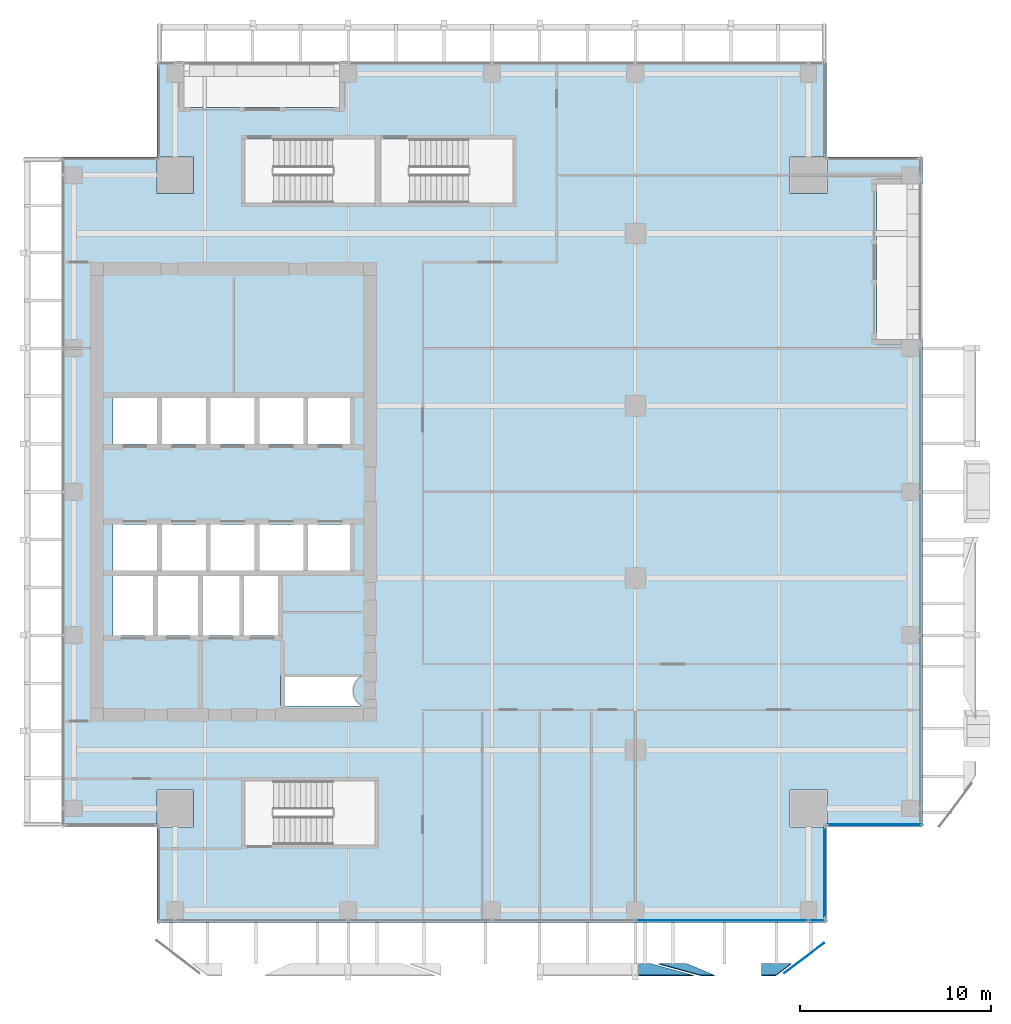
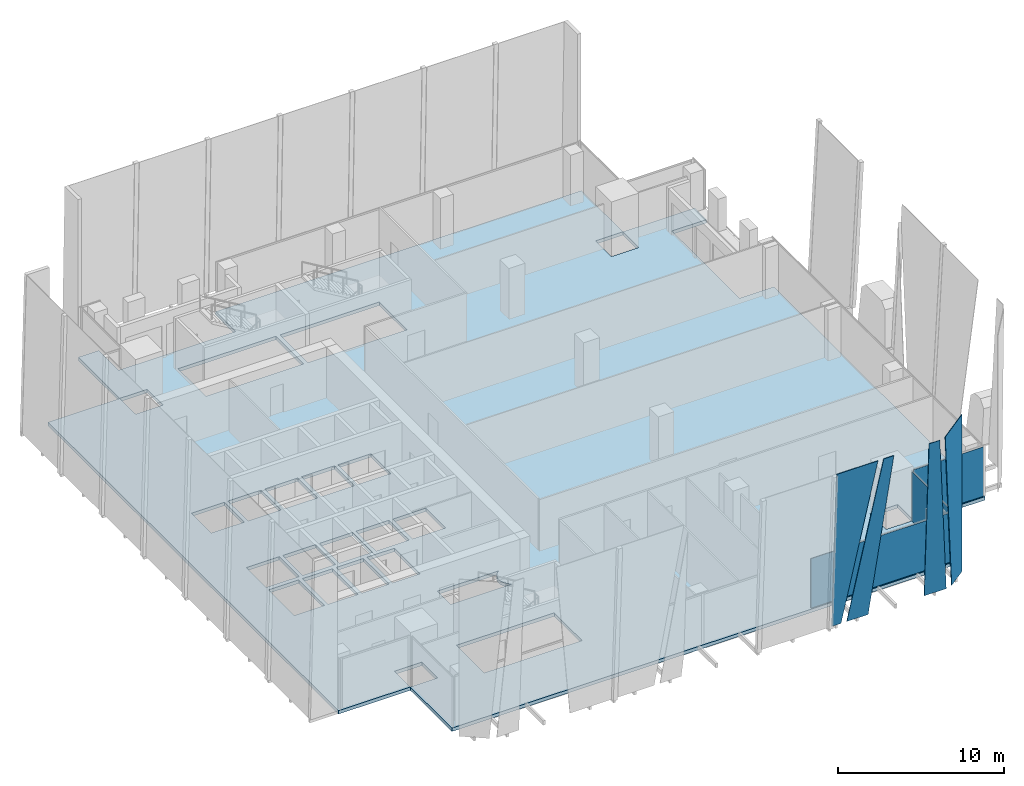
# One storey, part 24 of 35: 8 plates, 1 slab, 3 elements without a shape of their own.
"""IFC4 building model written with IfcOpenShell, lengths in metres."""

from ifc_helpers import new_model, si_unit, direction, frame, origin, origin_2d, place, context, subcontext, project, spatial, polyline, rectangle, outline, extrude, source, transform, mapped, material, layer, layer_set, type_object, element, aggregate, save


model = new_model("IFC4")

# Units and contexts
model_context = context("Model", 3, precision=1e-05, world=origin(), true_north=direction((0.0, 1.0)))
body_context = subcontext(model_context, "Body", "Model", "MODEL_VIEW")
ifc_project = project(units=[si_unit("LENGTHUNIT", "METRE"), si_unit("AREAUNIT", "SQUARE_METRE"), si_unit("VOLUMEUNIT", "CUBIC_METRE"), si_unit("PLANEANGLEUNIT", "RADIAN"), si_unit("MASSUNIT", "GRAM", prefix="KILO")], contexts=[model_context])

# Site, building, storey
site_placement = place(None, origin())
site = spatial("IfcSite", under=ifc_project, at=site_placement, CompositionType="ELEMENT")
building_placement = place(site_placement, origin())
building = spatial("IfcBuilding", under=site, at=building_placement, Name="Khomas Fold Tower", CompositionType="ELEMENT")
storey_placement = place(building_placement, frame((0.0, 0.0, 246.199951171875)))
storey = spatial("IfcBuildingStorey", under=building, at=storey_placement, Name="L55", CompositionType="ELEMENT", Elevation=246.199951171875)

# Plates
ifc_material_1 = material(Name="Clear laminated glass", Category="glass")
ifc_layer_1 = layer(ifc_material_1, 0.0400390625)
ifc_layer_set_1 = layer_set([ifc_layer_1], Name="Clear laminated glass")
plate_type_1 = type_object("IfcPlateType", Name="SK-Clear laminated glass leaf", PredefinedType="SHEET", material=ifc_layer_set_1)
plate_1_placement = place(storey_placement, frame((37.198486328125, 2.34228515625, 0.0), z_axis=(0.0, 0.99862882819, 0.052349436554), x_axis=(-1.0, 0.0, 0.0)))
element("IfcPlate", 1, at=plate_1_placement, inside=storey, type_object=plate_type_1, Name="OUTER SKIN glass L55 SG103-7", PredefinedType="SHEET", context=body_context, shape_type="SweptSolid", body=[
    extrude(outline(polyline([(0.0, 0.0), (1.4794921875, 0.0), (-0.74169921875, 11.565907674683308), (-1.443603515625, 11.565907674683308), (0.0, 0.0)])), origin(), (0.0, 0.0, -1.0), 0.0400390625),
])
plate_2_placement = place(storey_placement, frame((35.311767578125, 2.34228515625, 0.0), z_axis=(0.0, 0.99862882819, 0.052349436554), x_axis=(-1.0, 0.0, 0.0)))
element("IfcPlate", 2, at=plate_2_placement, inside=storey, type_object=plate_type_1, Name="OUTER SKIN glass L55 SG103-11", PredefinedType="SHEET", context=body_context, shape_type="SweptSolid", body=[
    extrude(outline(polyline([(0.0, 0.0), (0.641845703125, 0.0), (0.641845703125, 11.565907674683308), (-2.22119140625, 11.565907674683308), (0.0, 0.0)])), origin(), (0.0, 0.0, -1.0), 0.0400390625),
])
plate_3_placement = place(storey_placement, frame((42.637939453125, 2.34228515625, 0.0), z_axis=(0.0, 0.99862882819, 0.052349436554), x_axis=(-1.0, 0.0, 0.0)))
element("IfcPlate", 3, at=plate_3_placement, inside=storey, type_object=plate_type_1, Name="OUTER SKIN glass L55 SG104-12", PredefinedType="SHEET", context=body_context, shape_type="SweptSolid", body=[
    extrude(outline(polyline([(0.0, 0.0), (1.537841796875, 0.0), (1.537841796875, 11.565907674683308), (0.799560546875, 11.565907674683308), (0.0, 0.0)])), origin(), (0.0, 0.0, -1.0), 0.0400390625),
])
plate_4_placement = place(storey_placement, frame((43.06298828125, 2.462158203125, 0.0), z_axis=(-0.603539600499, 0.797333023623, 8.388541e-06), x_axis=(-0.068971251495, -0.052218128978, 0.996251089572)))
element("IfcPlate", 4, at=plate_4_placement, inside=storey, type_object=plate_type_1, Name="OUTER SKIN glass L55 SG104-13", PredefinedType="SHEET", context=body_context, shape_type="SweptSolid", body=[
    extrude(outline(polyline([(0.0, 0.0), (11.593511866472127, 0.0), (11.366656415307746, 2.612509715782803), (-0.14009231432057326, 1.6133292536632449), (0.0, 0.0)])), origin(), (0.0, 0.0, -1.0), 0.0400390625),
])

# Slab
ifc_material_2 = material(Name="Concrete C40/50", Category="concrete")
ifc_layer_2 = layer(ifc_material_2, 0.25)
ifc_layer_set_2 = layer_set([ifc_layer_2], Name="Concrete C40/50")
slab_type = type_object("IfcSlabType", Name="RC floor slab 250", PredefinedType="FLOOR", material=ifc_layer_set_2)
shared_shape_1 = source(origin(), body_context, "Body", "SweptSolid", [
    extrude(outline(polyline([(4.5, 9.5), (9.4951171875, 9.5), (9.4951171875, 11.405029296875), (11.405029296875, 11.405029296875), (11.405029296875, 9.4951171875), (9.5, 9.4951171875), (9.5, 4.5), (44.5, 4.5), (44.5, 9.4951171875), (42.594970703125, 9.4951171875), (42.594970703125, 11.405029296875), (44.5048828125, 11.405029296875), (44.5048828125, 9.5), (49.5, 9.5), (49.5, 34.949951171875), (47.10009765625, 34.949951171875), (47.10009765625, 43.10009765625), (49.5, 43.10009765625), (49.5, 44.5), (44.5048828125, 44.5), (44.5048828125, 42.594970703125), (42.594970703125, 42.594970703125), (42.594970703125, 44.5048828125), (44.5, 44.5048828125), (44.5, 49.5), (19.050048828125, 49.5), (19.050048828125, 47.10009765625), (10.89990234375, 47.10009765625), (10.89990234375, 49.5), (9.5, 49.5), (9.5, 44.5048828125), (11.405029296875, 44.5048828125), (11.405029296875, 42.594970703125), (9.4951171875, 42.594970703125), (9.4951171875, 44.5), (4.5, 44.5), (4.5, 9.5)]), holes=[polyline([(7.199951171875, 19.5), (7.199951171875, 22.60009765625), (9.300048828125, 22.60009765625), (9.300048828125, 19.5), (7.199951171875, 19.5)]), polyline([(7.199951171875, 22.89990234375), (7.199951171875, 25.300048828125), (9.5, 25.300048828125), (9.5, 22.89990234375), (7.199951171875, 22.89990234375)]), polyline([(7.199951171875, 29.5), (7.199951171875, 31.89990234375), (9.5, 31.89990234375), (9.5, 29.5), (7.199951171875, 29.5)]), polyline([(9.550048828125, 19.5), (9.550048828125, 22.60009765625), (11.64990234375, 22.60009765625), (11.64990234375, 19.5), (9.550048828125, 19.5)]), polyline([(9.75, 22.89990234375), (9.75, 25.300048828125), (12.050048828125, 25.300048828125), (12.050048828125, 22.89990234375), (9.75, 22.89990234375)]), polyline([(9.75, 29.5), (9.75, 31.89990234375), (12.050048828125, 31.89990234375), (12.050048828125, 29.5), (9.75, 29.5)]), polyline([(11.89990234375, 19.5), (11.89990234375, 22.60009765625), (13.800048828125, 22.60009765625), (13.800048828125, 19.5), (11.89990234375, 19.5)]), polyline([(12.300048828125, 22.89990234375), (12.300048828125, 25.300048828125), (14.60009765625, 25.300048828125), (14.60009765625, 22.89990234375), (12.300048828125, 22.89990234375)]), polyline([(12.300048828125, 29.5), (12.300048828125, 31.89990234375), (14.60009765625, 31.89990234375), (14.60009765625, 29.5), (12.300048828125, 29.5)]), polyline([(14.050048828125, 19.5), (14.050048828125, 22.60009765625), (15.949951171875, 22.60009765625), (15.949951171875, 19.5), (14.050048828125, 19.5)]), polyline([(14.10009765625, 8.550048828125), (14.10009765625, 11.89990234375), (20.89990234375, 11.89990234375), (20.89990234375, 8.550048828125), (14.10009765625, 8.550048828125)]), polyline([(14.10009765625, 42.10009765625), (14.10009765625, 45.449951171875), (20.89990234375, 45.449951171875), (20.89990234375, 42.10009765625), (14.10009765625, 42.10009765625)]), polyline([(14.85009765625, 22.89990234375), (14.85009765625, 25.300048828125), (17.14990234375, 25.300048828125), (17.14990234375, 22.89990234375), (14.85009765625, 22.89990234375)]), polyline([(14.85009765625, 29.5), (14.85009765625, 31.89990234375), (17.14990234375, 31.89990234375), (17.14990234375, 29.5), (14.85009765625, 29.5)]), polyline([(15.949951171875, 15.800048828125), (15.949951171875, 17.39990234375), (20.199951171875, 17.39990234375), (20.199951171875, 17.37841796875), (20.14990234375, 17.348388671875), (20.0791015625, 17.295654296875), (20.013671875, 17.236328125), (19.954345703125, 17.1708984375), (19.901611328125, 17.10009765625), (19.856201171875, 17.0244140625), (19.818603515625, 16.9443359375), (19.788818359375, 16.861328125), (19.767333984375, 16.775634765625), (19.75439453125, 16.688232421875), (19.75, 16.60009765625), (19.75439453125, 16.51171875), (19.767333984375, 16.42431640625), (19.788818359375, 16.338623046875), (19.818603515625, 16.255615234375), (19.856201171875, 16.17578125), (19.901611328125, 16.10009765625), (19.954345703125, 16.029052734375), (20.013671875, 15.963623046875), (20.0791015625, 15.904296875), (20.14990234375, 15.851806640625), (20.199951171875, 15.82177734375), (20.199951171875, 15.800048828125), (15.949951171875, 15.800048828125)]), polyline([(17.39990234375, 22.89990234375), (17.39990234375, 25.300048828125), (19.699951171875, 25.300048828125), (19.699951171875, 22.89990234375), (17.39990234375, 22.89990234375)]), polyline([(17.39990234375, 29.5), (17.39990234375, 31.89990234375), (19.699951171875, 31.89990234375), (19.699951171875, 29.5), (17.39990234375, 29.5)]), polyline([(21.199951171875, 42.10009765625), (21.199951171875, 45.449951171875), (28.10009765625, 45.449951171875), (28.10009765625, 42.10009765625), (21.199951171875, 42.10009765625)])]), origin(), (0.0, 0.0, 1.0), 0.25),
])
slab_placement = place(storey_placement, frame((0.0, 0.0, -0.25)))
element("IfcSlab", 5, at=slab_placement, inside=storey, type_object=slab_type, Name="S-L55", PredefinedType="FLOOR", context=body_context, shape_type="MappedRepresentation", body=[
    mapped(shared_shape_1, transform((0.0, 0.0, 0.0))),
])

# Curtain wall, plates
ifc_material_3 = material(Name="Aluminium framed double glazing", Category="aluminium")
curtain_wall_type = type_object("IfcCurtainWallType", Name="SK-Unitised clear-glass wall, office floors CW2", PredefinedType="NOTDEFINED", material=ifc_material_3)
curtain_wall_1_placement = place(storey_placement, origin())
curtain_wall_1 = element("IfcCurtainWall", 6, at=curtain_wall_1_placement, inside=storey, type_object=curtain_wall_type, Name="CW2 run L55 00-0", PredefinedType="NOTDEFINED")
ifc_material_4 = material(Name="Clear double glazed unit")
ifc_layer_3 = layer(ifc_material_4, 0.030029296875)
ifc_layer_set_3 = layer_set([ifc_layer_3], Name="Clear double glazed unit")
plate_type_2 = type_object("IfcPlateType", Name="SK-Unitised clear-glass wall, office floors glass panel CW2-P", PredefinedType="CURTAIN_PANEL", material=ifc_layer_set_3)
shared_shape_2 = source(origin(), body_context, "Body", "SweptSolid", [
    extrude(rectangle(XDim=0.860107421875, YDim=0.030029296875, at=origin_2d()), origin(), (0.0, 0.0, 1.0), 3.639892578125),
])
plate_5_placement = place(storey_placement, frame((44.010009765625, 4.60009765625, 0.0), z_axis=(0.0, 0.0, 1.0), x_axis=(1.0, 0.0, 0.0)))
plate_5 = element("IfcPlate", 7, at=plate_5_placement, type_object=plate_type_2, Name="CW2 glass panel 6", PredefinedType="CURTAIN_PANEL", context=body_context, shape_type="MappedRepresentation", body=[
    mapped(shared_shape_2, transform((0.0, 0.0, 0.0))),
])
shared_shape_3 = source(origin(), body_context, "Body", "SweptSolid", [
    extrude(rectangle(XDim=8.989990234375, YDim=0.030029296875, at=origin_2d()), origin(), (0.0, 0.0, 1.0), 3.639892578125),
])
plate_6_placement = place(storey_placement, frame((39.02490234375, 4.60009765625, 0.0), z_axis=(0.0, 0.0, 1.0), x_axis=(1.0, 0.0, 0.0)))
plate_6 = element("IfcPlate", 8, at=plate_6_placement, type_object=plate_type_2, Name="CW2 glass panel 5", PredefinedType="CURTAIN_PANEL", context=body_context, shape_type="MappedRepresentation", body=[
    mapped(shared_shape_3, transform((0.0, 0.0, 0.0))),
])
aggregate(curtain_wall_1, [plate_6, plate_5])

# Curtain wall, plate
curtain_wall_2_placement = place(storey_placement, origin())
curtain_wall_2 = element("IfcCurtainWall", 9, at=curtain_wall_2_placement, inside=storey, type_object=curtain_wall_type, Name="CW2 corner return L55 01", PredefinedType="NOTDEFINED")
shared_shape_4 = source(origin(), body_context, "Body", "SweptSolid", [
    extrude(rectangle(XDim=4.679931640625, YDim=0.030029296875, at=origin_2d()), origin(), (0.0, 0.0, 1.0), 3.639892578125),
])
plate_7_placement = place(storey_placement, frame((44.39990234375, 7.10009765625, 0.0), z_axis=(0.0, 0.0, 1.0), x_axis=(0.0, 1.0, 0.0)))
plate_7 = element("IfcPlate", 10, at=plate_7_placement, type_object=plate_type_2, Name="CW2 glass panel 1", PredefinedType="CURTAIN_PANEL", context=body_context, shape_type="MappedRepresentation", body=[
    mapped(shared_shape_4, transform((0.0, 0.0, 0.0))),
])
aggregate(curtain_wall_2, [plate_7])

curtain_wall_3_placement = place(storey_placement, origin())
curtain_wall_3 = element("IfcCurtainWall", 11, at=curtain_wall_3_placement, inside=storey, type_object=curtain_wall_type, Name="CW2 corner return L55 02", PredefinedType="NOTDEFINED")
shared_shape_5 = source(origin(), body_context, "Body", "SweptSolid", [
    extrude(rectangle(XDim=4.8798828125, YDim=0.030029296875, at=origin_2d()), origin(), (0.0, 0.0, 1.0), 3.639892578125),
])
plate_8_placement = place(storey_placement, frame((47.0, 9.60009765625, 0.0), z_axis=(0.0, 0.0, 1.0), x_axis=(1.0, 0.0, 0.0)))
plate_8 = element("IfcPlate", 12, at=plate_8_placement, type_object=plate_type_2, Name="CW2 glass panel 1", PredefinedType="CURTAIN_PANEL", context=body_context, shape_type="MappedRepresentation", body=[
    mapped(shared_shape_5, transform((0.0, 0.0, 0.0))),
])
aggregate(curtain_wall_3, [plate_8])

save(model, "model.ifc")
